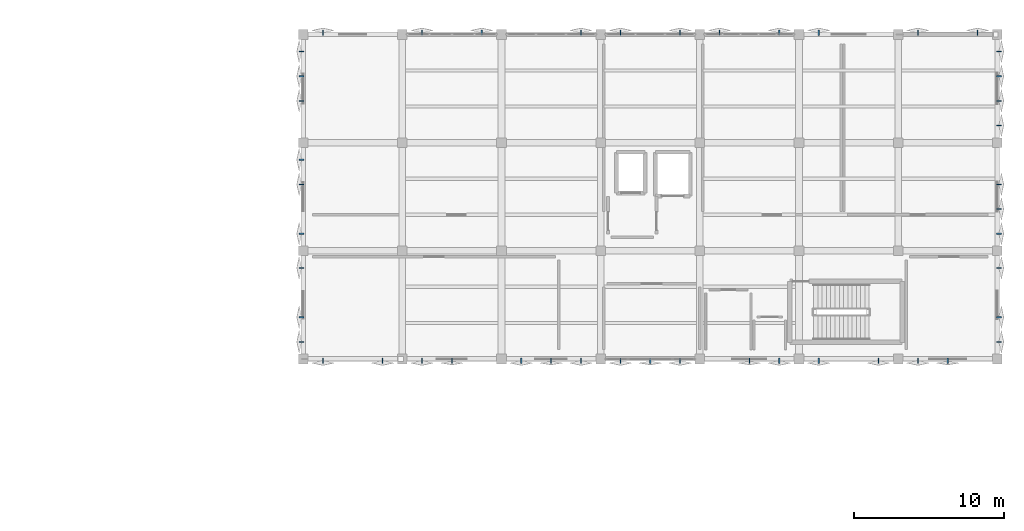
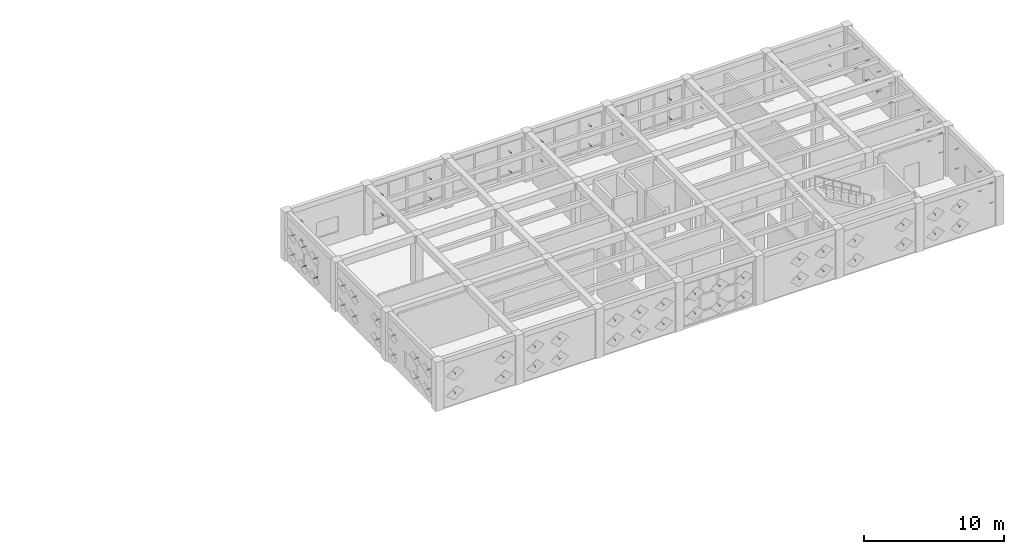
# One storey, part 35 of 39: 92 discrete accessories.
"""IFC4 building model written with IfcOpenShell, lengths in metres."""

from ifc_helpers import new_model, si_unit, direction, frame, origin, origin_2d, place, context, subcontext, project, spatial, hollow_rectangle, extrude, material, type_object, element, save


model = new_model("IFC4")

# Units and contexts
model_context = context("Model", 3, precision=1e-05, world=origin(), true_north=direction((0.0, 1.0)))
body_context = subcontext(model_context, "Body", "Model", "MODEL_VIEW")
ifc_project = project(units=[si_unit("LENGTHUNIT", "METRE"), si_unit("AREAUNIT", "SQUARE_METRE"), si_unit("VOLUMEUNIT", "CUBIC_METRE"), si_unit("PLANEANGLEUNIT", "RADIAN"), si_unit("MASSUNIT", "GRAM", prefix="KILO")], contexts=[model_context])

# Site, building, storey
site_placement = place(None, origin())
site = spatial("IfcSite", under=ifc_project, at=site_placement, CompositionType="ELEMENT")
building_placement = place(site_placement, origin())
building = spatial("IfcBuilding", under=site, at=building_placement, Name="Kharisveld Research Institute", CompositionType="ELEMENT")
storey_placement = place(building_placement, frame((0.0, 0.0, 18.60009765625)))
storey = spatial("IfcBuildingStorey", under=building, at=storey_placement, Name="L04", CompositionType="ELEMENT", Elevation=18.60009765625)

# Discrete accessories
ifc_material = material(Name="Steel S355JR", Category="steel")
discrete_accessory_type = type_object("IfcDiscreteAccessoryType", Name="BKT_ST_260", PredefinedType="BRACKET")
for number, where, z_axis, x_axis, name in (
    (1, (114.659912109375, 40.340087890625, 1.0498046875), (-1.0, 0.0, 0.0), (0.0, -1.0, 0.0), "BKT-SHD:V2:L04:W0:S0C0"),
    (2, (114.659912109375, 40.340087890625, 2.75), (-1.0, 0.0, 0.0), (0.0, -1.0, 0.0), "BKT-SHD:V2:L04:W0:S0C1"),
    (3, (114.659912109375, 41.97998046875, 1.0498046875), (-1.0, 0.0, 0.0), (0.0, -1.0, 0.0), "BKT-SHD:V2:L04:W0:S1C0"),
    (4, (114.659912109375, 41.97998046875, 2.75), (-1.0, 0.0, 0.0), (0.0, -1.0, 0.0), "BKT-SHD:V2:L04:W0:S1C1"),
    (5, (114.659912109375, 45.260009765625, 1.0498046875), (-1.0, 0.0, 0.0), (0.0, -1.0, 0.0), "BKT-SHD:V2:L04:W0:S3C0"),
    (6, (114.659912109375, 45.260009765625, 2.75), (-1.0, 0.0, 0.0), (0.0, -1.0, 0.0), "BKT-SHD:V2:L04:W0:S3C1"),
    (7, (114.659912109375, 47.5400390625, 1.0498046875), (-1.0, 0.0, 0.0), (0.0, -1.0, 0.0), "BKT-SHD:V2:L04:W1:S0C0"),
    (8, (114.659912109375, 47.5400390625, 2.75), (-1.0, 0.0, 0.0), (0.0, -1.0, 0.0), "BKT-SHD:V2:L04:W1:S0C1"),
    (9, (114.659912109375, 50.820068359375, 1.0498046875), (-1.0, 0.0, 0.0), (0.0, -1.0, 0.0), "BKT-SHD:V2:L04:W1:S2C0"),
    (10, (114.659912109375, 50.820068359375, 2.75), (-1.0, 0.0, 0.0), (0.0, -1.0, 0.0), "BKT-SHD:V2:L04:W1:S2C1"),
    (11, (114.659912109375, 52.4599609375, 1.0498046875), (-1.0, 0.0, 0.0), (0.0, -1.0, 0.0), "BKT-SHD:V2:L04:W1:S3C0"),
    (12, (114.659912109375, 52.4599609375, 2.75), (-1.0, 0.0, 0.0), (0.0, -1.0, 0.0), "BKT-SHD:V2:L04:W1:S3C1"),
    (13, (114.659912109375, 56.3798828125, 1.0498046875), (-1.0, 0.0, 0.0), (0.0, -1.0, 0.0), "BKT-SHD:V2:L04:W2:S1C0"),
    (14, (114.659912109375, 56.3798828125, 2.75), (-1.0, 0.0, 0.0), (0.0, -1.0, 0.0), "BKT-SHD:V2:L04:W2:S1C1"),
    (15, (114.659912109375, 58.02001953125, 1.0498046875), (-1.0, 0.0, 0.0), (0.0, -1.0, 0.0), "BKT-SHD:V2:L04:W2:S2C0"),
    (16, (114.659912109375, 58.02001953125, 2.75), (-1.0, 0.0, 0.0), (0.0, -1.0, 0.0), "BKT-SHD:V2:L04:W2:S2C1"),
    (17, (114.659912109375, 59.659912109375, 1.0498046875), (-1.0, 0.0, 0.0), (0.0, -1.0, 0.0), "BKT-SHD:V2:L04:W2:S3C0"),
    (18, (114.659912109375, 59.659912109375, 2.75), (-1.0, 0.0, 0.0), (0.0, -1.0, 0.0), "BKT-SHD:V2:L04:W2:S3C1"),
):
    element("IfcDiscreteAccessory", number, at=place(storey_placement, frame(where, z_axis=z_axis, x_axis=x_axis)), inside=storey, type_object=discrete_accessory_type, material=ifc_material, Name=name, ObjectType="BRACKET", PredefinedType="BRACKET", context=body_context, shape_type="SweptSolid", body=[
        extrude(hollow_rectangle(XDim=0.080078125, YDim=0.080078125, WallThickness=0.0048828125, at=origin_2d()), origin(), (0.0, 0.0, 1.0), 0.349853515625),
    ])
for number, where, z_axis, x_axis, name in (
    (19, (115.913330078125, 60.739990234375, 1.0498046875), (0.0, 1.0, 0.0), (-1.0, 0.0, 0.0), "BKT-SHD:V2:L04:N0:S0C0"),
    (20, (115.913330078125, 60.739990234375, 2.75), (0.0, 1.0, 0.0), (-1.0, 0.0, 0.0), "BKT-SHD:V2:L04:N0:S0C1"),
    (21, (122.513427734375, 60.739990234375, 1.0498046875), (0.0, 1.0, 0.0), (-1.0, 0.0, 0.0), "BKT-SHD:V2:L04:N1:S0C0"),
    (22, (122.513427734375, 60.739990234375, 2.75), (0.0, 1.0, 0.0), (-1.0, 0.0, 0.0), "BKT-SHD:V2:L04:N1:S0C1"),
    (23, (126.486572265625, 60.739990234375, 1.0498046875), (0.0, 1.0, 0.0), (-1.0, 0.0, 0.0), "BKT-SHD:V2:L04:N1:S2C0"),
    (24, (126.486572265625, 60.739990234375, 2.75), (0.0, 1.0, 0.0), (-1.0, 0.0, 0.0), "BKT-SHD:V2:L04:N1:S2C1"),
    (25, (133.086669921875, 60.739990234375, 1.0498046875), (0.0, 1.0, 0.0), (-1.0, 0.0, 0.0), "BKT-SHD:V2:L04:N2:S2C0"),
    (26, (133.086669921875, 60.739990234375, 2.75), (0.0, 1.0, 0.0), (-1.0, 0.0, 0.0), "BKT-SHD:V2:L04:N2:S2C1"),
    (27, (135.71337890625, 60.739990234375, 1.0498046875), (0.0, 1.0, 0.0), (-1.0, 0.0, 0.0), "BKT-SHD:V2:L04:N3:S0C0"),
    (28, (135.71337890625, 60.739990234375, 2.75), (0.0, 1.0, 0.0), (-1.0, 0.0, 0.0), "BKT-SHD:V2:L04:N3:S0C1"),
    (29, (139.686767578125, 60.739990234375, 1.0498046875), (0.0, 1.0, 0.0), (-1.0, 0.0, 0.0), "BKT-SHD:V2:L04:N3:S2C0"),
    (30, (139.686767578125, 60.739990234375, 2.75), (0.0, 1.0, 0.0), (-1.0, 0.0, 0.0), "BKT-SHD:V2:L04:N3:S2C1"),
    (31, (142.313232421875, 60.739990234375, 1.0498046875), (0.0, 1.0, 0.0), (-1.0, 0.0, 0.0), "BKT-SHD:V2:L04:N4:S0C0"),
    (32, (142.313232421875, 60.739990234375, 2.75), (0.0, 1.0, 0.0), (-1.0, 0.0, 0.0), "BKT-SHD:V2:L04:N4:S0C1"),
    (33, (146.28662109375, 60.739990234375, 1.0498046875), (0.0, 1.0, 0.0), (-1.0, 0.0, 0.0), "BKT-SHD:V2:L04:N4:S2C0"),
    (34, (146.28662109375, 60.739990234375, 2.75), (0.0, 1.0, 0.0), (-1.0, 0.0, 0.0), "BKT-SHD:V2:L04:N4:S2C1"),
    (35, (148.913330078125, 60.739990234375, 1.0498046875), (0.0, 1.0, 0.0), (-1.0, 0.0, 0.0), "BKT-SHD:V2:L04:N5:S0C0"),
    (36, (148.913330078125, 60.739990234375, 2.75), (0.0, 1.0, 0.0), (-1.0, 0.0, 0.0), "BKT-SHD:V2:L04:N5:S0C1"),
    (37, (155.513427734375, 60.739990234375, 1.0498046875), (0.0, 1.0, 0.0), (-1.0, 0.0, 0.0), "BKT-SHD:V2:L04:N6:S0C0"),
    (38, (155.513427734375, 60.739990234375, 2.75), (0.0, 1.0, 0.0), (-1.0, 0.0, 0.0), "BKT-SHD:V2:L04:N6:S0C1"),
    (39, (159.486572265625, 60.739990234375, 1.0498046875), (0.0, 1.0, 0.0), (-1.0, 0.0, 0.0), "BKT-SHD:V2:L04:N6:S2C0"),
    (40, (159.486572265625, 60.739990234375, 2.75), (0.0, 1.0, 0.0), (-1.0, 0.0, 0.0), "BKT-SHD:V2:L04:N6:S2C1"),
    (41, (160.739990234375, 59.659912109375, 1.0498046875), (1.0, 0.0, 0.0), (0.0, 1.0, 0.0), "BKT-SHD:V2:L04:E3:S0C0"),
    (42, (160.739990234375, 59.659912109375, 2.75), (1.0, 0.0, 0.0), (0.0, 1.0, 0.0), "BKT-SHD:V2:L04:E3:S0C1"),
    (43, (160.739990234375, 58.02001953125, 1.0498046875), (1.0, 0.0, 0.0), (0.0, 1.0, 0.0), "BKT-SHD:V2:L04:E3:S1C0"),
    (44, (160.739990234375, 58.02001953125, 2.75), (1.0, 0.0, 0.0), (0.0, 1.0, 0.0), "BKT-SHD:V2:L04:E3:S1C1"),
    (45, (160.739990234375, 56.3798828125, 1.0498046875), (1.0, 0.0, 0.0), (0.0, 1.0, 0.0), "BKT-SHD:V2:L04:E3:S2C0"),
    (46, (160.739990234375, 56.3798828125, 2.75), (1.0, 0.0, 0.0), (0.0, 1.0, 0.0), "BKT-SHD:V2:L04:E3:S2C1"),
    (47, (160.739990234375, 54.739990234375, 1.0498046875), (1.0, 0.0, 0.0), (0.0, 1.0, 0.0), "BKT-SHD:V2:L04:E3:S3C0"),
    (48, (160.739990234375, 54.739990234375, 2.75), (1.0, 0.0, 0.0), (0.0, 1.0, 0.0), "BKT-SHD:V2:L04:E3:S3C1"),
    (49, (160.739990234375, 50.820068359375, 1.0498046875), (1.0, 0.0, 0.0), (0.0, 1.0, 0.0), "BKT-SHD:V2:L04:E2:S1C0"),
    (50, (160.739990234375, 50.820068359375, 2.75), (1.0, 0.0, 0.0), (0.0, 1.0, 0.0), "BKT-SHD:V2:L04:E2:S1C1"),
    (51, (160.739990234375, 49.179931640625, 1.0498046875), (1.0, 0.0, 0.0), (0.0, 1.0, 0.0), "BKT-SHD:V2:L04:E2:S2C0"),
    (52, (160.739990234375, 49.179931640625, 2.75), (1.0, 0.0, 0.0), (0.0, 1.0, 0.0), "BKT-SHD:V2:L04:E2:S2C1"),
    (53, (160.739990234375, 47.5400390625, 1.0498046875), (1.0, 0.0, 0.0), (0.0, 1.0, 0.0), "BKT-SHD:V2:L04:E2:S3C0"),
    (54, (160.739990234375, 47.5400390625, 2.75), (1.0, 0.0, 0.0), (0.0, 1.0, 0.0), "BKT-SHD:V2:L04:E2:S3C1"),
    (55, (160.739990234375, 45.260009765625, 1.0498046875), (1.0, 0.0, 0.0), (0.0, 1.0, 0.0), "BKT-SHD:V2:L04:E1:S0C0"),
    (56, (160.739990234375, 45.260009765625, 2.75), (1.0, 0.0, 0.0), (0.0, 1.0, 0.0), "BKT-SHD:V2:L04:E1:S0C1"),
    (57, (160.739990234375, 41.97998046875, 1.0498046875), (1.0, 0.0, 0.0), (0.0, 1.0, 0.0), "BKT-SHD:V2:L04:E1:S2C0"),
    (58, (160.739990234375, 41.97998046875, 2.75), (1.0, 0.0, 0.0), (0.0, 1.0, 0.0), "BKT-SHD:V2:L04:E1:S2C1"),
    (59, (160.739990234375, 40.340087890625, 1.0498046875), (1.0, 0.0, 0.0), (0.0, 1.0, 0.0), "BKT-SHD:V2:L04:E1:S3C0"),
    (60, (160.739990234375, 40.340087890625, 2.75), (1.0, 0.0, 0.0), (0.0, 1.0, 0.0), "BKT-SHD:V2:L04:E1:S3C1"),
    (61, (157.5, 39.260009765625, 1.0498046875), (0.0, -1.0, 0.0), (1.0, 0.0, 0.0), "BKT-SHD:V2:L04:S7:S1C0"),
    (62, (157.5, 39.260009765625, 2.75), (0.0, -1.0, 0.0), (1.0, 0.0, 0.0), "BKT-SHD:V2:L04:S7:S1C1"),
    (63, (155.513427734375, 39.260009765625, 1.0498046875), (0.0, -1.0, 0.0), (1.0, 0.0, 0.0), "BKT-SHD:V2:L04:S7:S2C0"),
    (64, (155.513427734375, 39.260009765625, 2.75), (0.0, -1.0, 0.0), (1.0, 0.0, 0.0), "BKT-SHD:V2:L04:S7:S2C1"),
    (65, (152.88671875, 39.260009765625, 1.0498046875), (0.0, -1.0, 0.0), (1.0, 0.0, 0.0), "BKT-SHD:V2:L04:S6:S0C0"),
    (66, (152.88671875, 39.260009765625, 2.75), (0.0, -1.0, 0.0), (1.0, 0.0, 0.0), "BKT-SHD:V2:L04:S6:S0C1"),
    (67, (148.913330078125, 39.260009765625, 1.0498046875), (0.0, -1.0, 0.0), (1.0, 0.0, 0.0), "BKT-SHD:V2:L04:S6:S2C0"),
    (68, (148.913330078125, 39.260009765625, 2.75), (0.0, -1.0, 0.0), (1.0, 0.0, 0.0), "BKT-SHD:V2:L04:S6:S2C1"),
    (69, (146.28662109375, 39.260009765625, 1.0498046875), (0.0, -1.0, 0.0), (1.0, 0.0, 0.0), "BKT-SHD:V2:L04:S5:S0C0"),
    (70, (146.28662109375, 39.260009765625, 2.75), (0.0, -1.0, 0.0), (1.0, 0.0, 0.0), "BKT-SHD:V2:L04:S5:S0C1"),
    (71, (144.300048828125, 39.260009765625, 1.0498046875), (0.0, -1.0, 0.0), (1.0, 0.0, 0.0), "BKT-SHD:V2:L04:S5:S1C0"),
    (72, (144.300048828125, 39.260009765625, 2.75), (0.0, -1.0, 0.0), (1.0, 0.0, 0.0), "BKT-SHD:V2:L04:S5:S1C1"),
    (73, (139.686767578125, 39.260009765625, 1.0498046875), (0.0, -1.0, 0.0), (1.0, 0.0, 0.0), "BKT-SHD:V2:L04:S4:S0C0"),
    (74, (139.686767578125, 39.260009765625, 2.75), (0.0, -1.0, 0.0), (1.0, 0.0, 0.0), "BKT-SHD:V2:L04:S4:S0C1"),
    (75, (137.699951171875, 39.260009765625, 1.0498046875), (0.0, -1.0, 0.0), (1.0, 0.0, 0.0), "BKT-SHD:V2:L04:S4:S1C0"),
    (76, (137.699951171875, 39.260009765625, 2.75), (0.0, -1.0, 0.0), (1.0, 0.0, 0.0), "BKT-SHD:V2:L04:S4:S1C1"),
    (77, (135.71337890625, 39.260009765625, 1.0498046875), (0.0, -1.0, 0.0), (1.0, 0.0, 0.0), "BKT-SHD:V2:L04:S4:S2C0"),
    (78, (135.71337890625, 39.260009765625, 2.75), (0.0, -1.0, 0.0), (1.0, 0.0, 0.0), "BKT-SHD:V2:L04:S4:S2C1"),
    (79, (133.086669921875, 39.260009765625, 1.0498046875), (0.0, -1.0, 0.0), (1.0, 0.0, 0.0), "BKT-SHD:V2:L04:S3:S0C0"),
    (80, (133.086669921875, 39.260009765625, 2.75), (0.0, -1.0, 0.0), (1.0, 0.0, 0.0), "BKT-SHD:V2:L04:S3:S0C1"),
    (81, (131.10009765625, 39.260009765625, 1.0498046875), (0.0, -1.0, 0.0), (1.0, 0.0, 0.0), "BKT-SHD:V2:L04:S3:S1C0"),
    (82, (131.10009765625, 39.260009765625, 2.75), (0.0, -1.0, 0.0), (1.0, 0.0, 0.0), "BKT-SHD:V2:L04:S3:S1C1"),
    (83, (129.11328125, 39.260009765625, 1.0498046875), (0.0, -1.0, 0.0), (1.0, 0.0, 0.0), "BKT-SHD:V2:L04:S3:S2C0"),
    (84, (129.11328125, 39.260009765625, 2.75), (0.0, -1.0, 0.0), (1.0, 0.0, 0.0), "BKT-SHD:V2:L04:S3:S2C1"),
    (85, (124.5, 39.260009765625, 1.0498046875), (0.0, -1.0, 0.0), (1.0, 0.0, 0.0), "BKT-SHD:V2:L04:S2:S1C0"),
    (86, (124.5, 39.260009765625, 2.75), (0.0, -1.0, 0.0), (1.0, 0.0, 0.0), "BKT-SHD:V2:L04:S2:S1C1"),
    (87, (122.513427734375, 39.260009765625, 1.0498046875), (0.0, -1.0, 0.0), (1.0, 0.0, 0.0), "BKT-SHD:V2:L04:S2:S2C0"),
    (88, (122.513427734375, 39.260009765625, 2.75), (0.0, -1.0, 0.0), (1.0, 0.0, 0.0), "BKT-SHD:V2:L04:S2:S2C1"),
    (89, (119.88671875, 39.260009765625, 1.0498046875), (0.0, -1.0, 0.0), (1.0, 0.0, 0.0), "BKT-SHD:V2:L04:S1:S0C0"),
    (90, (119.88671875, 39.260009765625, 2.75), (0.0, -1.0, 0.0), (1.0, 0.0, 0.0), "BKT-SHD:V2:L04:S1:S0C1"),
    (91, (115.913330078125, 39.260009765625, 1.0498046875), (0.0, -1.0, 0.0), (1.0, 0.0, 0.0), "BKT-SHD:V2:L04:S1:S2C0"),
    (92, (115.913330078125, 39.260009765625, 2.75), (0.0, -1.0, 0.0), (1.0, 0.0, 0.0), "BKT-SHD:V2:L04:S1:S2C1"),
):
    element("IfcDiscreteAccessory", number, at=place(storey_placement, frame(where, z_axis=z_axis, x_axis=x_axis)), inside=storey, type_object=discrete_accessory_type, material=ifc_material, Name=name, ObjectType="BRACKET", PredefinedType="BRACKET", context=body_context, shape_type="SweptSolid", body=[
        extrude(hollow_rectangle(XDim=0.080078125, YDim=0.080078125, WallThickness=0.0048828125, at=origin_2d()), origin(), (0.0, 0.0, 1.0), 0.35009765625),
    ])

save(model, "model.ifc")
